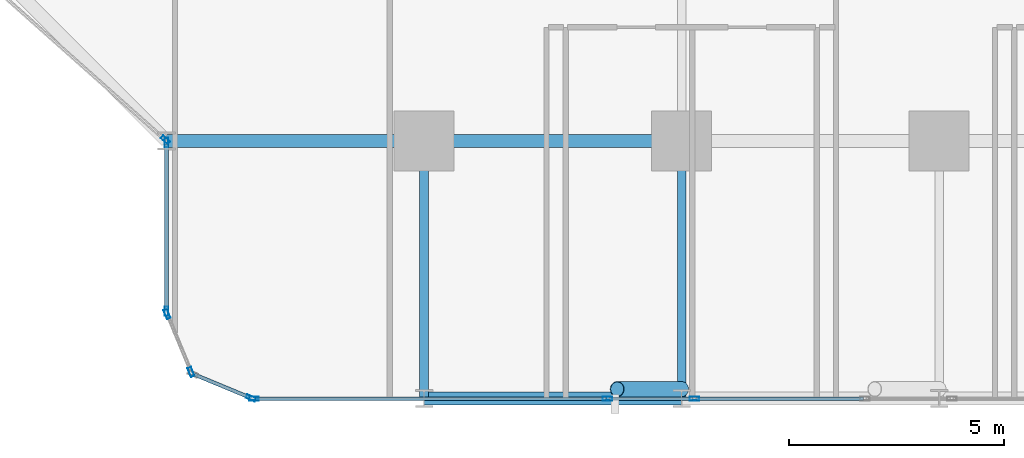
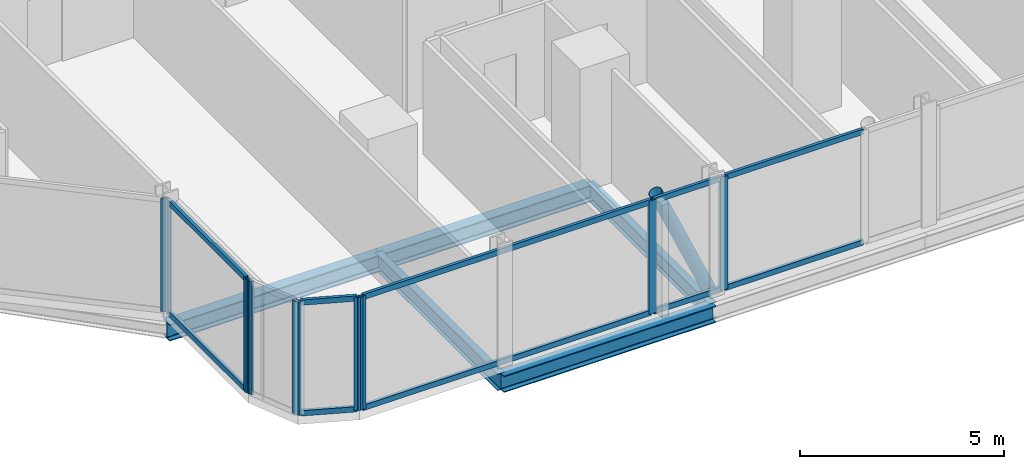
# One storey, part 3 of 34: 20 members, 5 beams, 7 elements without a shape of their own.
"""IFC4 building model written with IfcOpenShell, lengths in metres."""

from ifc_helpers import new_model, si_unit, direction, frame, origin, origin_2d, place, context, subcontext, project, spatial, hollow_rectangle, hollow_circle, i_section, extrude, material, layer, layer_set, material_profile, profile_set, type_object, element, aggregate, save


model = new_model("IFC4")

# Units and contexts
model_context = context("Model", 3, precision=1e-05, world=origin(), true_north=direction((0.0, 1.0)))
body_context = subcontext(model_context, "Body", "Model", "MODEL_VIEW")
ifc_project = project(units=[si_unit("LENGTHUNIT", "METRE"), si_unit("AREAUNIT", "SQUARE_METRE"), si_unit("VOLUMEUNIT", "CUBIC_METRE"), si_unit("PLANEANGLEUNIT", "RADIAN"), si_unit("MASSUNIT", "GRAM", prefix="KILO")], contexts=[model_context])

# Site, building, storey
site_placement = place(None, origin())
site = spatial("IfcSite", under=ifc_project, at=site_placement, CompositionType="ELEMENT")
building_placement = place(site_placement, origin())
building = spatial("IfcBuilding", under=site, at=building_placement, Name="Keshet Zoharim Tower", CompositionType="ELEMENT")
storey_placement = place(building_placement, frame((0.0, 0.0, 38.800048828125)))
storey = spatial("IfcBuildingStorey", under=building, at=storey_placement, Name="L08", CompositionType="ELEMENT", Elevation=38.800048828125)

# Beams
ifc_material_1 = material(Name="Steel S355", Category="steel")
ifc_material_profile_1 = material_profile(ifc_material_1, i_section(OverallWidth=0.199951171875, OverallDepth=0.5, WebThickness=0.01025390625, FlangeThickness=0.01611328125, FilletRadius=0.02099609375, at=origin_2d()), Name="IPE500")
ifc_profile_set_1 = profile_set([ifc_material_profile_1], Name="Steel S355")
beam_type_1 = type_object("IfcBeamType", Name="BM-PRI-IP500", PredefinedType="BEAM", material=ifc_profile_set_1)
for number, where, z_axis, x_axis, name in (
    (1, (27.0, 0.699951171875, -0.56494140625), (0.0, 1.0, 0.0), (-1.0, 0.0, 0.0), "L08 Primary Girder Y-004"),
    (2, (33.0, 0.699951171875, -0.56494140625), (0.0, 1.0, 0.0), (-1.0, 0.0, 0.0), "L08 Primary Girder Y-005"),
):
    element("IfcBeam", number, at=place(storey_placement, frame(where, z_axis=z_axis, x_axis=x_axis)), inside=storey, type_object=beam_type_1, Name=name, PredefinedType="BEAM", context=body_context, shape_type="SweptSolid", body=[
        extrude(i_section(OverallWidth=0.199951171875, OverallDepth=0.5, WebThickness=0.01025390625, FlangeThickness=0.01611328125, FilletRadius=0.02099609375, at=origin_2d()), origin(), (0.0, 0.0, 1.0), 6.0),
    ])
ifc_material_profile_2 = material_profile(ifc_material_1, i_section(OverallWidth=0.300048828125, OverallDepth=0.5, WebThickness=0.014404296875, FlangeThickness=0.028076171875, FilletRadius=0.027099609375, at=origin_2d()), Name="HEB500")
ifc_profile_set_2 = profile_set([ifc_material_profile_2], Name="Steel S355")
beam_type_2 = type_object("IfcBeamType", Name="BM-WEB-HB500", PredefinedType="BEAM", material=ifc_profile_set_2)
for number, where, z_axis, x_axis, name in (
    (3, (27.0, 0.699951171875, -0.56494140625), (1.0, 0.0, 0.0), (0.0, 1.0, 0.0), "L08 Primary Girder X-001"),
    (4, (21.0, 6.699951171875, -0.56494140625), (1.0, 0.0, 0.0), (0.0, 1.0, 0.0), "L08 Primary Girder X-006"),
    (5, (27.0, 6.699951171875, -0.56494140625), (1.0, 0.0, 0.0), (0.0, 1.0, 0.0), "L08 Primary Girder X-007"),
):
    element("IfcBeam", number, at=place(storey_placement, frame(where, z_axis=z_axis, x_axis=x_axis)), inside=storey, type_object=beam_type_2, Name=name, PredefinedType="BEAM", context=body_context, shape_type="SweptSolid", body=[
        extrude(i_section(OverallWidth=0.300048828125, OverallDepth=0.5, WebThickness=0.014404296875, FlangeThickness=0.028076171875, FilletRadius=0.027099609375, at=origin_2d()), origin(), (0.0, 0.0, 1.0), 6.0),
    ])

# Curtain wall, member
ifc_material_2 = material(Name="Aluminium 6063-T6", Category="aluminium")
ifc_layer = layer(ifc_material_2, 0.179931640625)
ifc_layer_set = layer_set([ifc_layer], Name="Aluminium 6063-T6")
curtain_wall_type = type_object("IfcCurtainWallType", Name="CW-SYS-01", PredefinedType="NOTDEFINED", material=ifc_layer_set)
curtain_wall_1_placement = place(storey_placement, origin())
curtain_wall_1 = element("IfcCurtainWall", 6, at=curtain_wall_1_placement, inside=storey, type_object=curtain_wall_type, Name="L08 Unitised Curtain Wall 01", PredefinedType="NOTDEFINED")
ifc_material_profile_3 = material_profile(ifc_material_2, hollow_rectangle(XDim=0.090087890625, YDim=0.219970703125, WallThickness=0.0048828125, at=origin_2d()), Name="MUL-90x220")
ifc_profile_set_3 = profile_set([ifc_material_profile_3], Name="Aluminium 6063-T6")
member_type_1 = type_object("IfcMemberType", Name="CWM-M22", PredefinedType="MULLION", material=ifc_profile_set_3)
member_1_placement = place(storey_placement, frame((20.973876953125, 6.72314453125, 0.0), z_axis=(0.0, 0.0, 1.0), x_axis=(-0.664363838836, -0.747409318679, 0.0)))
member_1 = element("IfcMember", 7, at=member_1_placement, type_object=member_type_1, Name="CW-01 mullion 1", PredefinedType="MULLION", context=body_context, shape_type="SweptSolid", body=[
    extrude(hollow_rectangle(XDim=0.090087890625, YDim=0.219970703125, WallThickness=0.0048828125, at=origin_2d()), origin(), (0.0, 0.0, 1.0), 3.385009765625),
])
aggregate(curtain_wall_1, [member_1])

curtain_wall_2_placement = place(storey_placement, origin())
curtain_wall_2 = element("IfcCurtainWall", 8, at=curtain_wall_2_placement, inside=storey, type_object=curtain_wall_type, Name="L08 Unitised Curtain Wall 26 Part 3", PredefinedType="NOTDEFINED")
member_2_placement = place(storey_placement, frame((33.297607421875, 0.699951171875, 0.0), z_axis=(0.0, 0.0, 1.0), x_axis=(0.0, -1.0, 0.0)))
member_2 = element("IfcMember", 9, at=member_2_placement, type_object=member_type_1, Name="CW-01 mullion 2", PredefinedType="MULLION", context=body_context, shape_type="SweptSolid", body=[
    extrude(hollow_rectangle(XDim=0.090087890625, YDim=0.219970703125, WallThickness=0.0048828125, at=origin_2d()), origin(), (0.0, 0.0, 1.0), 3.385009765625),
])

curtain_wall_3_placement = place(storey_placement, origin())
curtain_wall_3 = element("IfcCurtainWall", 10, at=curtain_wall_3_placement, inside=storey, type_object=curtain_wall_type, Name="L08 Unitised Curtain Wall 26 Part 4", PredefinedType="NOTDEFINED")
member_3_placement = place(storey_placement, frame((31.2724609375, 0.699951171875, 0.0), z_axis=(0.0, 0.0, 1.0), x_axis=(0.0, -1.0, 0.0)))
member_3 = element("IfcMember", 11, at=member_3_placement, type_object=member_type_1, Name="CW-01 mullion 2", PredefinedType="MULLION", context=body_context, shape_type="SweptSolid", body=[
    extrude(hollow_rectangle(XDim=0.090087890625, YDim=0.219970703125, WallThickness=0.0048828125, at=origin_2d()), origin(), (0.0, 0.0, 1.0), 3.385009765625),
])

curtain_wall_4_placement = place(storey_placement, origin())
curtain_wall_4 = element("IfcCurtainWall", 12, at=curtain_wall_4_placement, inside=storey, type_object=curtain_wall_type, Name="L08 Unitised Curtain Wall 26 Part 5", PredefinedType="NOTDEFINED")
member_4_placement = place(storey_placement, frame((23.034912109375, 0.699951171875, 0.0), z_axis=(0.0, 0.0, 1.0), x_axis=(0.0, -1.0, 0.0)))
member_4 = element("IfcMember", 13, at=member_4_placement, type_object=member_type_1, Name="CW-01 mullion 2", PredefinedType="MULLION", context=body_context, shape_type="SweptSolid", body=[
    extrude(hollow_rectangle(XDim=0.090087890625, YDim=0.219970703125, WallThickness=0.0048828125, at=origin_2d()), origin(), (0.0, 0.0, 1.0), 3.385009765625),
])

curtain_wall_5_placement = place(storey_placement, origin())
curtain_wall_5 = element("IfcCurtainWall", 14, at=curtain_wall_5_placement, inside=storey, type_object=curtain_wall_type, Name="L08 Unitised Curtain Wall 27", PredefinedType="NOTDEFINED")
member_5_placement = place(storey_placement, frame((22.9677734375, 0.71337890625, 0.0), z_axis=(0.0, 0.0, 1.0), x_axis=(-0.382851849847, -0.92380975372, 0.0)))
member_5 = element("IfcMember", 15, at=member_5_placement, type_object=member_type_1, Name="CW-01 mullion 1", PredefinedType="MULLION", context=body_context, shape_type="SweptSolid", body=[
    extrude(hollow_rectangle(XDim=0.090087890625, YDim=0.219970703125, WallThickness=0.0048828125, at=origin_2d()), origin(), (0.0, 0.0, 1.0), 3.385009765625),
])

# Curtain wall, members
curtain_wall_6_placement = place(storey_placement, origin())
curtain_wall_6 = element("IfcCurtainWall", 16, at=curtain_wall_6_placement, inside=storey, type_object=curtain_wall_type, Name="L08 Unitised Curtain Wall 28", PredefinedType="NOTDEFINED")
member_6_placement = place(storey_placement, frame((21.572509765625, 1.318359375, 0.0), z_axis=(0.0, 0.0, 1.0), x_axis=(-0.92380975372, -0.382851849847, 0.0)))
member_6 = element("IfcMember", 17, at=member_6_placement, type_object=member_type_1, Name="CW-01 mullion 1", PredefinedType="MULLION", context=body_context, shape_type="SweptSolid", body=[
    extrude(hollow_rectangle(XDim=0.090087890625, YDim=0.219970703125, WallThickness=0.0048828125, at=origin_2d()), origin(), (0.0, 0.0, 1.0), 3.385009765625),
])
member_7_placement = place(storey_placement, frame((21.013427734375, 2.667724609375, 0.0), z_axis=(0.0, 0.0, 1.0), x_axis=(-0.92380975372, -0.382851849847, 0.0)))
member_7 = element("IfcMember", 18, at=member_7_placement, type_object=member_type_1, Name="CW-01 mullion 2", PredefinedType="MULLION", context=body_context, shape_type="SweptSolid", body=[
    extrude(hollow_rectangle(XDim=0.090087890625, YDim=0.219970703125, WallThickness=0.0048828125, at=origin_2d()), origin(), (0.0, 0.0, 1.0), 3.385009765625),
])
aggregate(curtain_wall_6, [member_6, member_7])

curtain_wall_7_placement = place(storey_placement, origin())
curtain_wall_7 = element("IfcCurtainWall", 19, at=curtain_wall_7_placement, inside=storey, type_object=curtain_wall_type, Name="L08 Unitised Curtain Wall 29", PredefinedType="NOTDEFINED")
member_8_placement = place(storey_placement, frame((21.0, 2.735107421875, 0.0), z_axis=(0.0, 0.0, 1.0), x_axis=(-1.0, 0.0, 0.0)))
member_8 = element("IfcMember", 20, at=member_8_placement, type_object=member_type_1, Name="CW-01 mullion 1", PredefinedType="MULLION", context=body_context, shape_type="SweptSolid", body=[
    extrude(hollow_rectangle(XDim=0.090087890625, YDim=0.219970703125, WallThickness=0.0048828125, at=origin_2d()), origin(), (0.0, 0.0, 1.0), 3.385009765625),
])
member_9_placement = place(storey_placement, frame((21.0, 6.6650390625, 0.0), z_axis=(0.0, 0.0, 1.0), x_axis=(-1.0, 0.0, 0.0)))
member_9 = element("IfcMember", 21, at=member_9_placement, type_object=member_type_1, Name="CW-01 mullion 2", PredefinedType="MULLION", context=body_context, shape_type="SweptSolid", body=[
    extrude(hollow_rectangle(XDim=0.090087890625, YDim=0.219970703125, WallThickness=0.0048828125, at=origin_2d()), origin(), (0.0, 0.0, 1.0), 3.385009765625),
])

# Member
ifc_material_profile_4 = material_profile(ifc_material_2, hollow_rectangle(XDim=0.0849609375, YDim=0.159912109375, WallThickness=0.00439453125, at=origin_2d()), Name="TRN-85x160")
ifc_profile_set_4 = profile_set([ifc_material_profile_4], Name="Aluminium 6063-T6")
member_type_2 = type_object("IfcMemberType", Name="CWT-T16", PredefinedType="USERDEFINED", material=ifc_profile_set_4)
member_10_placement = place(storey_placement, frame((37.2373046875, 0.699951171875, 0.034912109375), z_axis=(-1.0, 0.0, 0.0), x_axis=(0.0, -1.0, 0.0)))
member_10 = element("IfcMember", 22, at=member_10_placement, type_object=member_type_2, Name="CW-01 transom 1.1", ObjectType="TRANSOM", PredefinedType="USERDEFINED", context=body_context, shape_type="SweptSolid", body=[
    extrude(hollow_rectangle(XDim=0.0849609375, YDim=0.159912109375, WallThickness=0.00439453125, at=origin_2d()), origin(), (0.0, 0.0, 1.0), 3.90478515625),
])

member_11_placement = place(storey_placement, frame((37.2373046875, 0.699951171875, 3.349853515625), z_axis=(-1.0, 0.0, 0.0), x_axis=(0.0, -1.0, 0.0)))
member_11 = element("IfcMember", 23, at=member_11_placement, type_object=member_type_2, Name="CW-01 transom 1.2", ObjectType="TRANSOM", PredefinedType="USERDEFINED", context=body_context, shape_type="SweptSolid", body=[
    extrude(hollow_rectangle(XDim=0.0849609375, YDim=0.159912109375, WallThickness=0.00439453125, at=origin_2d()), origin(), (0.0, 0.0, 1.0), 3.90478515625),
])

aggregate(curtain_wall_2, [member_2, member_10, member_11])

member_12_placement = place(storey_placement, frame((33.2626953125, 0.699951171875, 0.034912109375), z_axis=(-1.0, 0.0, 0.0), x_axis=(0.0, -1.0, 0.0)))
member_12 = element("IfcMember", 24, at=member_12_placement, type_object=member_type_2, Name="CW-01 transom 1.1", ObjectType="TRANSOM", PredefinedType="USERDEFINED", context=body_context, shape_type="SweptSolid", body=[
    extrude(hollow_rectangle(XDim=0.0849609375, YDim=0.159912109375, WallThickness=0.00439453125, at=origin_2d()), origin(), (0.0, 0.0, 1.0), 1.955322265625),
])

member_13_placement = place(storey_placement, frame((33.2626953125, 0.699951171875, 3.349853515625), z_axis=(-1.0, 0.0, 0.0), x_axis=(0.0, -1.0, 0.0)))
member_13 = element("IfcMember", 25, at=member_13_placement, type_object=member_type_2, Name="CW-01 transom 1.2", ObjectType="TRANSOM", PredefinedType="USERDEFINED", context=body_context, shape_type="SweptSolid", body=[
    extrude(hollow_rectangle(XDim=0.0849609375, YDim=0.159912109375, WallThickness=0.00439453125, at=origin_2d()), origin(), (0.0, 0.0, 1.0), 1.955322265625),
])

aggregate(curtain_wall_3, [member_3, member_12, member_13])

member_14_placement = place(storey_placement, frame((31.2373046875, 0.699951171875, 0.034912109375), z_axis=(-1.0, 0.0, 0.0), x_axis=(0.0, -1.0, 0.0)))
member_14 = element("IfcMember", 26, at=member_14_placement, type_object=member_type_2, Name="CW-01 transom 1.1", ObjectType="TRANSOM", PredefinedType="USERDEFINED", context=body_context, shape_type="SweptSolid", body=[
    extrude(hollow_rectangle(XDim=0.0849609375, YDim=0.159912109375, WallThickness=0.00439453125, at=origin_2d()), origin(), (0.0, 0.0, 1.0), 8.167236328125),
])

member_15_placement = place(storey_placement, frame((31.2373046875, 0.699951171875, 3.349853515625), z_axis=(-1.0, 0.0, 0.0), x_axis=(0.0, -1.0, 0.0)))
member_15 = element("IfcMember", 27, at=member_15_placement, type_object=member_type_2, Name="CW-01 transom 1.2", ObjectType="TRANSOM", PredefinedType="USERDEFINED", context=body_context, shape_type="SweptSolid", body=[
    extrude(hollow_rectangle(XDim=0.0849609375, YDim=0.159912109375, WallThickness=0.00439453125, at=origin_2d()), origin(), (0.0, 0.0, 1.0), 8.167236328125),
])

aggregate(curtain_wall_4, [member_4, member_14, member_15])

member_16_placement = place(storey_placement, frame((22.935302734375, 0.726806640625, 0.034912109375), z_axis=(-0.92379209995, 0.382894445076, 0.0), x_axis=(-0.382894445076, -0.92379209995, 0.0)))
member_16 = element("IfcMember", 28, at=member_16_placement, type_object=member_type_2, Name="CW-01 transom 1.1", ObjectType="TRANSOM", PredefinedType="USERDEFINED", context=body_context, shape_type="SweptSolid", body=[
    extrude(hollow_rectangle(XDim=0.0849609375, YDim=0.159912109375, WallThickness=0.00439453125, at=origin_2d()), origin(), (0.0, 0.0, 1.0), 1.390625),
])

member_17_placement = place(storey_placement, frame((22.935302734375, 0.726806640625, 3.349853515625), z_axis=(-0.92379209995, 0.382894445076, 0.0), x_axis=(-0.382894445076, -0.92379209995, 0.0)))
member_17 = element("IfcMember", 29, at=member_17_placement, type_object=member_type_2, Name="CW-01 transom 1.2", ObjectType="TRANSOM", PredefinedType="USERDEFINED", context=body_context, shape_type="SweptSolid", body=[
    extrude(hollow_rectangle(XDim=0.0849609375, YDim=0.159912109375, WallThickness=0.00439453125, at=origin_2d()), origin(), (0.0, 0.0, 1.0), 1.390625),
])

aggregate(curtain_wall_5, [member_5, member_16, member_17])

member_18_placement = place(storey_placement, frame((21.0, 2.77001953125, 0.034912109375), z_axis=(0.0, 1.0, 0.0), x_axis=(-1.0, 0.0, 0.0)))
member_18 = element("IfcMember", 30, at=member_18_placement, type_object=member_type_2, Name="CW-01 transom 1.1", ObjectType="TRANSOM", PredefinedType="USERDEFINED", context=body_context, shape_type="SweptSolid", body=[
    extrude(hollow_rectangle(XDim=0.0849609375, YDim=0.159912109375, WallThickness=0.00439453125, at=origin_2d()), origin(), (0.0, 0.0, 1.0), 3.85986328125),
])

member_19_placement = place(storey_placement, frame((21.0, 2.77001953125, 3.349853515625), z_axis=(0.0, 1.0, 0.0), x_axis=(-1.0, 0.0, 0.0)))
member_19 = element("IfcMember", 31, at=member_19_placement, type_object=member_type_2, Name="CW-01 transom 1.2", ObjectType="TRANSOM", PredefinedType="USERDEFINED", context=body_context, shape_type="SweptSolid", body=[
    extrude(hollow_rectangle(XDim=0.0849609375, YDim=0.159912109375, WallThickness=0.00439453125, at=origin_2d()), origin(), (0.0, 0.0, 1.0), 3.85986328125),
])

aggregate(curtain_wall_7, [member_8, member_9, member_18, member_19])

ifc_material_profile_5 = material_profile(ifc_material_1, hollow_circle(Radius=0.177734375, WallThickness=0.012451171875, at=origin_2d()), Name="CHS355x12.5")
ifc_profile_set_5 = profile_set([ifc_material_profile_5], Name="Steel S355")
member_type_3 = type_object("IfcMemberType", Name="MB-BR-C355", PredefinedType="BRACE", material=ifc_profile_set_5)
member_20_placement = place(storey_placement, frame((33.0, 0.919921875, 0.0), z_axis=(-0.405134846829, 0.0, 0.91425694194), x_axis=(0.0, -1.0, 0.0)))
element("IfcMember", 32, at=member_20_placement, inside=storey, type_object=member_type_3, Name="L08 Perimeter Tube Brace 02", PredefinedType="BRACE", context=body_context, shape_type="SweptSolid", body=[
    extrude(hollow_circle(Radius=0.177734375, WallThickness=0.012451171875, at=origin_2d()), origin(), (0.0, 0.0, 1.0), 3.702392578125),
])

save(model, "model.ifc")
